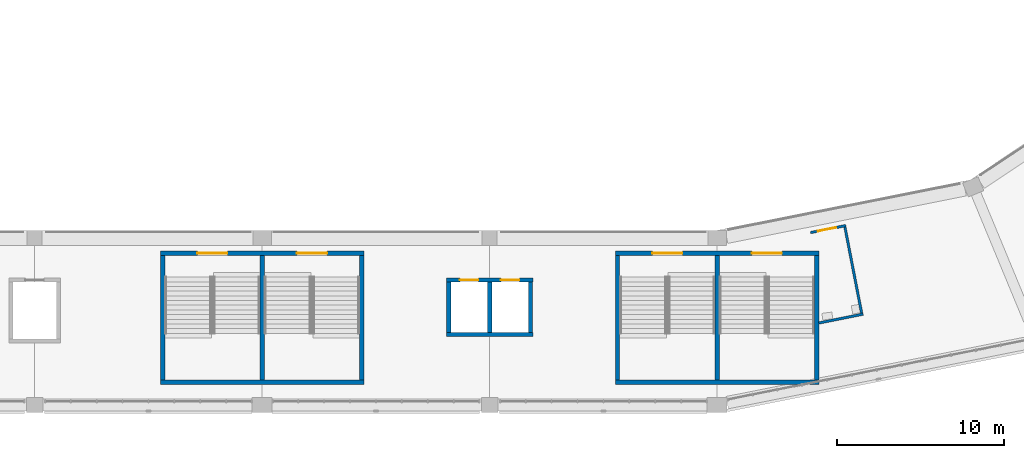
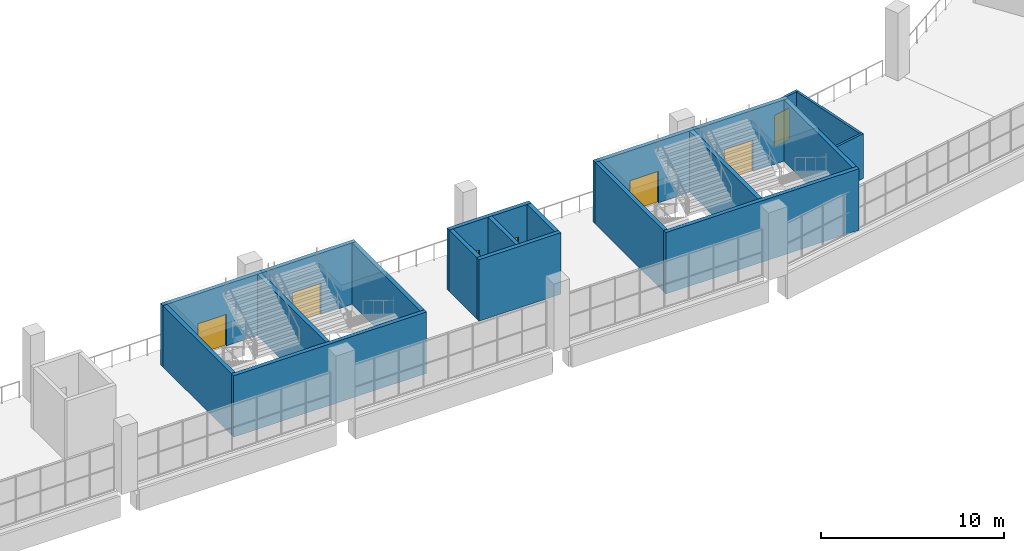
# One storey, part 62 of 177: 18 walls, 7 doors, 7 openings.
"""IFC4 building model written with IfcOpenShell, lengths in metres."""

from ifc_helpers import new_model, si_unit, direction, frame, frame_2d, origin, place, context, subcontext, project, spatial, rectangle, extrude, material, layer, layer_set, type_object, element, fill, save


model = new_model("IFC4")

# Units and contexts
model_context = context("Model", 3, precision=1e-05, world=origin(), true_north=direction((0.0, 1.0)))
body_context = subcontext(model_context, "Body", "Model", "MODEL_VIEW")
ifc_project = project(units=[si_unit("LENGTHUNIT", "METRE"), si_unit("AREAUNIT", "SQUARE_METRE"), si_unit("VOLUMEUNIT", "CUBIC_METRE"), si_unit("PLANEANGLEUNIT", "RADIAN"), si_unit("MASSUNIT", "GRAM", prefix="KILO")], contexts=[model_context])

# Site, building, storey
site_placement = place(None, origin())
site = spatial("IfcSite", under=ifc_project, at=site_placement, CompositionType="ELEMENT")
building_placement = place(site_placement, origin())
building = spatial("IfcBuilding", under=site, at=building_placement, Name="Ogive Plaza Stadium", CompositionType="ELEMENT")
storey_placement = place(building_placement, frame((0.0, 0.0, 18.0)))
storey = spatial("IfcBuildingStorey", under=building, at=storey_placement, Name="L04", CompositionType="ELEMENT", Elevation=18.0)

# Wall, openings, doors
ifc_material_1 = material(Name="Concrete C40/50", Category="concrete")
ifc_layer_1 = layer(ifc_material_1, 0.25)
ifc_layer_set_1 = layer_set([ifc_layer_1], Name="Concrete C40/50")
wall_type_1 = type_object("IfcWallType", Name="Core wall 250", PredefinedType="SHEAR", material=ifc_layer_set_1)
wall_1_placement = place(storey_placement, frame((27.925048828125, -93.425048828125, 0.0), z_axis=(0.0, 0.0, 1.0), x_axis=(1.0, 0.0, 0.0)))
wall_1 = element("IfcWall", 1, at=wall_1_placement, inside=storey, type_object=wall_type_1, Name="Stair core R12 inner wall", PredefinedType="SHEAR", context=body_context, shape_type="SweptSolid", body=[
    extrude(rectangle(XDim=12.14990234375, YDim=0.25, at=frame_2d((6.074951171875, 0.0))), origin(), (0.0, 0.0, 1.0), 4.090087890625),
])
opening_1_placement = place(wall_1_placement, frame((2.199951171875, 0.0, 0.0)))
opening_1 = element("IfcOpeningElement", 2, at=opening_1_placement, cuts=wall_1, Name="Opening D0115", PredefinedType="OPENING", context=body_context, shape_type="SweptSolid", body=[
    extrude(rectangle(XDim=1.800048828125, YDim=2.10009765625, at=frame_2d((0.89990234375, 1.050048828125))), frame((0.0, 0.125, 0.0), z_axis=(0.0, -1.0, 0.0), x_axis=(1.0, 0.0, 0.0)), (0.0, 0.0, 1.0), 0.25),
])
opening_2_placement = place(wall_1_placement, frame((8.14990234375, 0.0, 0.0)))
opening_2 = element("IfcOpeningElement", 3, at=opening_2_placement, cuts=wall_1, Name="Opening D0116", PredefinedType="OPENING", context=body_context, shape_type="SweptSolid", body=[
    extrude(rectangle(XDim=1.800048828125, YDim=2.10009765625, at=frame_2d((0.89990234375, 1.050048828125))), frame((0.0, 0.125, 0.0), z_axis=(0.0, -1.0, 0.0), x_axis=(1.0, 0.0, 0.0)), (0.0, 0.0, 1.0), 0.25),
])
ifc_material_2 = material(Name="Steel ASTM A572 Grade 50", Category="steel")
door_type_1 = type_object("IfcDoorType", Name="Fire door FD90 pair 1800 x 2100", OperationType="DOUBLE_DOOR_SINGLE_SWING", PredefinedType="DOOR", material=ifc_material_2)
door_1_placement = place(opening_1_placement, origin())
door_1 = element("IfcDoor", 4, at=door_1_placement, inside=storey, type_object=door_type_1, Name="Exit stair R12A door L04", OperationType="DOUBLE_DOOR_SINGLE_SWING", OverallHeight=2.10009765625, OverallWidth=1.800048828125, PredefinedType="DOOR", context=body_context, shape_type="SweptSolid", body=[
    extrude(rectangle(XDim=1.800048828125, YDim=2.10009765625, at=frame_2d((0.89990234375, 1.050048828125))), frame((0.0, 0.02490234375, 0.0), z_axis=(0.0, -1.0, 0.0), x_axis=(1.0, 0.0, 0.0)), (0.0, 0.0, 1.0), 0.050048828125),
])
fill(opening_1, door_1)
door_2_placement = place(opening_2_placement, origin())
door_2 = element("IfcDoor", 5, at=door_2_placement, inside=storey, type_object=door_type_1, Name="Exit stair R12B door L04", OperationType="DOUBLE_DOOR_SINGLE_SWING", OverallHeight=2.10009765625, OverallWidth=1.800048828125, PredefinedType="DOOR", context=body_context, shape_type="SweptSolid", body=[
    extrude(rectangle(XDim=1.800048828125, YDim=2.10009765625, at=frame_2d((0.89990234375, 1.050048828125))), frame((0.0, 0.02490234375, 0.0), z_axis=(0.0, -1.0, 0.0), x_axis=(1.0, 0.0, 0.0)), (0.0, 0.0, 1.0), 0.050048828125),
])
fill(opening_2, door_2)

# Walls
wall_2_placement = place(storey_placement, frame((27.925048828125, -101.135009765625, 0.0), z_axis=(0.0, 0.0, 1.0), x_axis=(1.0, 0.0, 0.0)))
element("IfcWall", 6, at=wall_2_placement, inside=storey, type_object=wall_type_1, Name="Stair core R12 outer wall", PredefinedType="SHEAR", context=body_context, shape_type="SweptSolid", body=[
    extrude(rectangle(XDim=12.14990234375, YDim=0.25, at=frame_2d((6.074951171875, 0.0))), origin(), (0.0, 0.0, 1.0), 4.090087890625),
])
for number, where, z_axis, x_axis, name in (
    (7, (28.050048828125, -93.550048828125, 0.0), (0.0, 0.0, 1.0), (0.0, -1.0, 0.0), "Stair core R12 side wall"),
    (8, (39.949951171875, -93.550048828125, 0.0), (0.0, 0.0, 1.0), (0.0, -1.0, 0.0), "Stair core R12 side wall"),
    (9, (34.0, -93.550048828125, 0.0), (0.0, 0.0, 1.0), (0.0, -1.0, 0.0), "Stair core R12 centre wall"),
):
    element("IfcWall", number, at=place(storey_placement, frame(where, z_axis=z_axis, x_axis=x_axis)), inside=storey, type_object=wall_type_1, Name=name, PredefinedType="SHEAR", context=body_context, shape_type="SweptSolid", body=[
        extrude(rectangle(XDim=7.4599609375, YDim=0.25, at=frame_2d((3.72998046875, 0.0))), origin(), (0.0, 0.0, 1.0), 4.090087890625),
    ])

# Wall, openings, doors
wall_3_placement = place(storey_placement, frame((0.72509765625, -93.425048828125, 0.0), z_axis=(0.0, 0.0, 1.0), x_axis=(1.0, 0.0, 0.0)))
wall_3 = element("IfcWall", 10, at=wall_3_placement, inside=storey, type_object=wall_type_1, Name="Stair core R14 inner wall", PredefinedType="SHEAR", context=body_context, shape_type="SweptSolid", body=[
    extrude(rectangle(XDim=12.14990234375, YDim=0.25, at=frame_2d((6.074951171875, 0.0))), origin(), (0.0, 0.0, 1.0), 4.090087890625),
])
opening_3_placement = place(wall_3_placement, frame((2.199951171875, 0.0, 0.0)))
opening_3 = element("IfcOpeningElement", 11, at=opening_3_placement, cuts=wall_3, Name="Opening D0127", PredefinedType="OPENING", context=body_context, shape_type="SweptSolid", body=[
    extrude(rectangle(XDim=1.800048828125, YDim=2.10009765625, at=frame_2d((0.89990234375, 1.050048828125))), frame((0.0, 0.125, 0.0), z_axis=(0.0, -1.0, 0.0), x_axis=(1.0, 0.0, 0.0)), (0.0, 0.0, 1.0), 0.25),
])
opening_4_placement = place(wall_3_placement, frame((8.14990234375, 0.0, 0.0)))
opening_4 = element("IfcOpeningElement", 12, at=opening_4_placement, cuts=wall_3, Name="Opening D0128", PredefinedType="OPENING", context=body_context, shape_type="SweptSolid", body=[
    extrude(rectangle(XDim=1.800048828125, YDim=2.10009765625, at=frame_2d((0.89990234375, 1.050048828125))), frame((0.0, 0.125, 0.0), z_axis=(0.0, -1.0, 0.0), x_axis=(1.0, 0.0, 0.0)), (0.0, 0.0, 1.0), 0.25),
])
door_3_placement = place(opening_3_placement, origin())
door_3 = element("IfcDoor", 13, at=door_3_placement, inside=storey, type_object=door_type_1, Name="Exit stair R14A door L04", OperationType="DOUBLE_DOOR_SINGLE_SWING", OverallHeight=2.10009765625, OverallWidth=1.800048828125, PredefinedType="DOOR", context=body_context, shape_type="SweptSolid", body=[
    extrude(rectangle(XDim=1.800048828125, YDim=2.10009765625, at=frame_2d((0.89990234375, 1.050048828125))), frame((0.0, 0.02490234375, 0.0), z_axis=(0.0, -1.0, 0.0), x_axis=(1.0, 0.0, 0.0)), (0.0, 0.0, 1.0), 0.050048828125),
])
fill(opening_3, door_3)
door_4_placement = place(opening_4_placement, origin())
door_4 = element("IfcDoor", 14, at=door_4_placement, inside=storey, type_object=door_type_1, Name="Exit stair R14B door L04", OperationType="DOUBLE_DOOR_SINGLE_SWING", OverallHeight=2.10009765625, OverallWidth=1.800048828125, PredefinedType="DOOR", context=body_context, shape_type="SweptSolid", body=[
    extrude(rectangle(XDim=1.800048828125, YDim=2.10009765625, at=frame_2d((0.89990234375, 1.050048828125))), frame((0.0, 0.02490234375, 0.0), z_axis=(0.0, -1.0, 0.0), x_axis=(1.0, 0.0, 0.0)), (0.0, 0.0, 1.0), 0.050048828125),
])
fill(opening_4, door_4)

# Walls
wall_4_placement = place(storey_placement, frame((0.72509765625, -101.135009765625, 0.0), z_axis=(0.0, 0.0, 1.0), x_axis=(1.0, 0.0, 0.0)))
element("IfcWall", 15, at=wall_4_placement, inside=storey, type_object=wall_type_1, Name="Stair core R14 outer wall", PredefinedType="SHEAR", context=body_context, shape_type="SweptSolid", body=[
    extrude(rectangle(XDim=12.14990234375, YDim=0.25, at=frame_2d((6.074951171875, 0.0))), origin(), (0.0, 0.0, 1.0), 4.090087890625),
])
for number, where, z_axis, x_axis, name in (
    (16, (0.85009765625, -93.550048828125, 0.0), (0.0, 0.0, 1.0), (0.0, -1.0, 0.0), "Stair core R14 side wall"),
    (17, (12.75, -93.550048828125, 0.0), (0.0, 0.0, 1.0), (0.0, -1.0, 0.0), "Stair core R14 side wall"),
    (18, (6.800048828125, -93.550048828125, 0.0), (0.0, 0.0, 1.0), (0.0, -1.0, 0.0), "Stair core R14 centre wall"),
):
    element("IfcWall", number, at=place(storey_placement, frame(where, z_axis=z_axis, x_axis=x_axis)), inside=storey, type_object=wall_type_1, Name=name, PredefinedType="SHEAR", context=body_context, shape_type="SweptSolid", body=[
        extrude(rectangle(XDim=7.4599609375, YDim=0.25, at=frame_2d((3.72998046875, 0.0))), origin(), (0.0, 0.0, 1.0), 4.090087890625),
    ])

# Wall, openings, doors
wall_5_placement = place(storey_placement, frame((17.824951171875, -95.02490234375, 0.0), z_axis=(0.0, 0.0, 1.0), x_axis=(1.0, 0.0, 0.0)))
wall_5 = element("IfcWall", 19, at=wall_5_placement, inside=storey, type_object=wall_type_1, Name="Lift core LP13 landing wall", PredefinedType="SHEAR", context=body_context, shape_type="SweptSolid", body=[
    extrude(rectangle(XDim=5.150146484375, YDim=0.25, at=frame_2d((2.5751953125, 0.0))), origin(), (0.0, 0.0, 1.0), 4.090087890625),
])
opening_5_placement = place(wall_5_placement, frame((0.800048828125, 0.0, 0.0)))
opening_5 = element("IfcOpeningElement", 20, at=opening_5_placement, cuts=wall_5, Name="Opening LD031", PredefinedType="OPENING", context=body_context, shape_type="SweptSolid", body=[
    extrude(rectangle(XDim=1.10009765625, YDim=2.10009765625, at=frame_2d((0.550048828125, 1.050048828125))), frame((0.0, 0.125, 0.0), z_axis=(0.0, -1.0, 0.0), x_axis=(1.0, 0.0, 0.0)), (0.0, 0.0, 1.0), 0.25),
])
opening_6_placement = place(wall_5_placement, frame((3.25, 0.0, 0.0)))
opening_6 = element("IfcOpeningElement", 21, at=opening_6_placement, cuts=wall_5, Name="Opening LD032", PredefinedType="OPENING", context=body_context, shape_type="SweptSolid", body=[
    extrude(rectangle(XDim=1.10009765625, YDim=2.10009765625, at=frame_2d((0.550048828125, 1.050048828125))), frame((0.0, 0.125, 0.0), z_axis=(0.0, -1.0, 0.0), x_axis=(1.0, 0.0, 0.0)), (0.0, 0.0, 1.0), 0.25),
])
ifc_material_3 = material(Name="Steel ASTM A572 Grade 50", Category="steel")
door_type_2 = type_object("IfcDoorType", Name="Landing door 1100 x 2100", OperationType="SLIDING_TO_LEFT", PredefinedType="DOOR", material=ifc_material_3)
door_5_placement = place(opening_5_placement, origin())
door_5 = element("IfcDoor", 22, at=door_5_placement, inside=storey, type_object=door_type_2, Name="Lift landing door LP13 L04", OperationType="SLIDING_TO_LEFT", OverallHeight=2.10009765625, OverallWidth=1.10009765625, PredefinedType="DOOR", context=body_context, shape_type="SweptSolid", body=[
    extrude(rectangle(XDim=1.10009765625, YDim=2.10009765625, at=frame_2d((0.550048828125, 1.050048828125))), frame((0.0, 0.02490234375, 0.0), z_axis=(0.0, -1.0, 0.0), x_axis=(1.0, 0.0, 0.0)), (0.0, 0.0, 1.0), 0.050048828125),
])
fill(opening_5, door_5)
door_6_placement = place(opening_6_placement, origin())
door_6 = element("IfcDoor", 23, at=door_6_placement, inside=storey, type_object=door_type_2, Name="Lift landing door LP13 L04", OperationType="SLIDING_TO_LEFT", OverallHeight=2.10009765625, OverallWidth=1.10009765625, PredefinedType="DOOR", context=body_context, shape_type="SweptSolid", body=[
    extrude(rectangle(XDim=1.10009765625, YDim=2.10009765625, at=frame_2d((0.550048828125, 1.050048828125))), frame((0.0, 0.02490234375, 0.0), z_axis=(0.0, -1.0, 0.0), x_axis=(1.0, 0.0, 0.0)), (0.0, 0.0, 1.0), 0.050048828125),
])
fill(opening_6, door_6)

# Walls
wall_6_placement = place(storey_placement, frame((17.824951171875, -98.27490234375, 0.0), z_axis=(0.0, 0.0, 1.0), x_axis=(1.0, 0.0, 0.0)))
element("IfcWall", 24, at=wall_6_placement, inside=storey, type_object=wall_type_1, Name="Lift core LP13 rear wall", PredefinedType="SHEAR", context=body_context, shape_type="SweptSolid", body=[
    extrude(rectangle(XDim=5.150146484375, YDim=0.25, at=frame_2d((2.5751953125, 0.0))), origin(), (0.0, 0.0, 1.0), 4.090087890625),
])
for number, where, z_axis, x_axis, name in (
    (25, (17.949951171875, -95.14990234375, 0.0), (0.0, 0.0, 1.0), (0.0, -1.0, 0.0), "Lift core LP13 side wall"),
    (26, (22.85009765625, -95.14990234375, 0.0), (0.0, 0.0, 1.0), (0.0, -1.0, 0.0), "Lift core LP13 side wall"),
    (27, (20.39990234375, -95.14990234375, 0.0), (0.0, 0.0, 1.0), (0.0, -1.0, 0.0), "Lift core LP13 centre wall"),
):
    element("IfcWall", number, at=place(storey_placement, frame(where, z_axis=z_axis, x_axis=x_axis)), inside=storey, type_object=wall_type_1, Name=name, PredefinedType="SHEAR", context=body_context, shape_type="SweptSolid", body=[
        extrude(rectangle(XDim=3.0, YDim=0.25, at=frame_2d((1.5, 0.0))), origin(), (0.0, 0.0, 1.0), 4.090087890625),
    ])

# Wall, opening, door
ifc_material_4 = material(Name="Gypsum board partition", Category="gypsum")
ifc_layer_2 = layer(ifc_material_4, 0.14990234375)
ifc_layer_set_2 = layer_set([ifc_layer_2], Name="Partition 150")
wall_type_2 = type_object("IfcWallType", Name="Partition 150", PredefinedType="PARTITIONING", material=ifc_layer_set_2)
wall_7_placement = place(storey_placement, frame((39.58203125, -92.189697265625, 0.0), z_axis=(0.0, 0.0, 1.0), x_axis=(0.980776540228, 0.195134256702, 0.0)))
wall_7 = element("IfcWall", 28, at=wall_7_placement, inside=storey, type_object=wall_type_2, Name="Wall L04 B11", PredefinedType="PARTITIONING", context=body_context, shape_type="SweptSolid", body=[
    extrude(rectangle(XDim=2.15185546875, YDim=0.14990234375, at=frame_2d((1.075927734375, 0.0))), origin(), (0.0, 0.0, 1.0), 3.0),
])
opening_7_placement = place(wall_7_placement, frame((0.45556640625, 0.0, 0.0)))
opening_7 = element("IfcOpeningElement", 29, at=opening_7_placement, cuts=wall_7, Name="Opening D0904", PredefinedType="OPENING", context=body_context, shape_type="SweptSolid", body=[
    extrude(rectangle(XDim=1.10009765625, YDim=2.10009765625, at=frame_2d((0.550048828125, 1.050048828125))), frame((0.0, 0.074951171875, 0.0), z_axis=(0.0, -1.0, 0.0), x_axis=(1.0, 0.0, 0.0)), (0.0, 0.0, 1.0), 0.14990234375),
])
ifc_material_5 = material(Name="Steel ASTM A572 Grade 50", Category="steel")
door_type_3 = type_object("IfcDoorType", Name="Accessible door 1100 x 2100", OperationType="SINGLE_SWING_LEFT", PredefinedType="DOOR", material=ifc_material_5)
door_7_placement = place(opening_7_placement, origin())
door_7 = element("IfcDoor", 30, at=door_7_placement, inside=storey, type_object=door_type_3, Name="Family WC B11 door", OperationType="SINGLE_SWING_LEFT", OverallHeight=2.10009765625, OverallWidth=1.10009765625, PredefinedType="DOOR", context=body_context, shape_type="SweptSolid", body=[
    extrude(rectangle(XDim=1.10009765625, YDim=2.10009765625, at=frame_2d((0.550048828125, 1.050048828125))), frame((0.0, 0.02490234375, 0.0), z_axis=(0.0, -1.0, 0.0), x_axis=(1.0, 0.0, 0.0)), (0.0, 0.0, 1.0), 0.050048828125),
])
fill(opening_7, door_7)

# Walls
wall_8_placement = place(storey_placement, frame((40.074951171875, -97.591552734375, 0.0), z_axis=(0.0, 0.0, 1.0), x_axis=(0.980781382465, 0.195109917251, 0.0)))
element("IfcWall", 31, at=wall_8_placement, inside=storey, type_object=wall_type_2, Name="Wall L04 B11", PredefinedType="PARTITIONING", context=body_context, shape_type="SweptSolid", body=[
    extrude(rectangle(XDim=2.70654296875, YDim=0.14990234375, at=frame_2d((1.353271484375, 0.0))), origin(), (0.0, 0.0, 1.0), 3.0),
])
wall_9_placement = place(storey_placement, frame((41.6376953125, -91.855712890625, 0.0), z_axis=(0.0, 0.0, 1.0), x_axis=(0.190529669063, -0.981681437742, 0.0)))
element("IfcWall", 32, at=wall_9_placement, inside=storey, type_object=wall_type_2, Name="Wall L04 B11", PredefinedType="PARTITIONING", context=body_context, shape_type="SweptSolid", body=[
    extrude(rectangle(XDim=5.247314453125, YDim=0.14990234375, at=frame_2d((2.62353515625, 0.0))), origin(), (0.0, 0.0, 1.0), 3.0),
])

save(model, "model.ifc")
